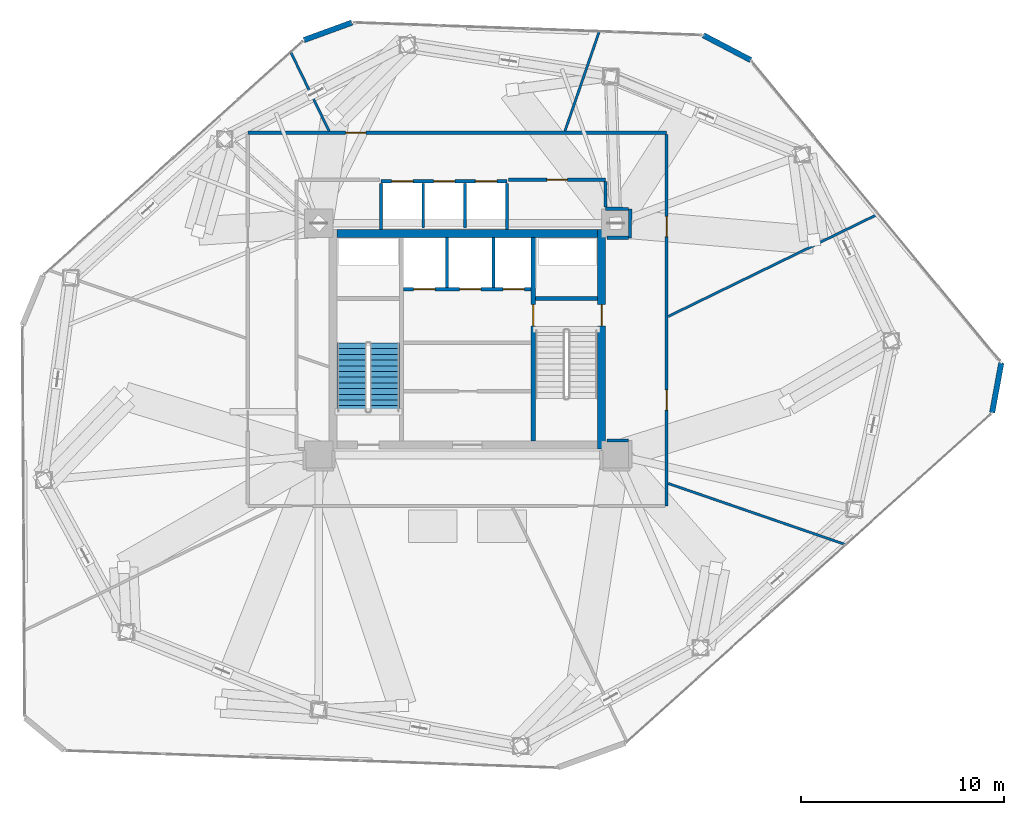
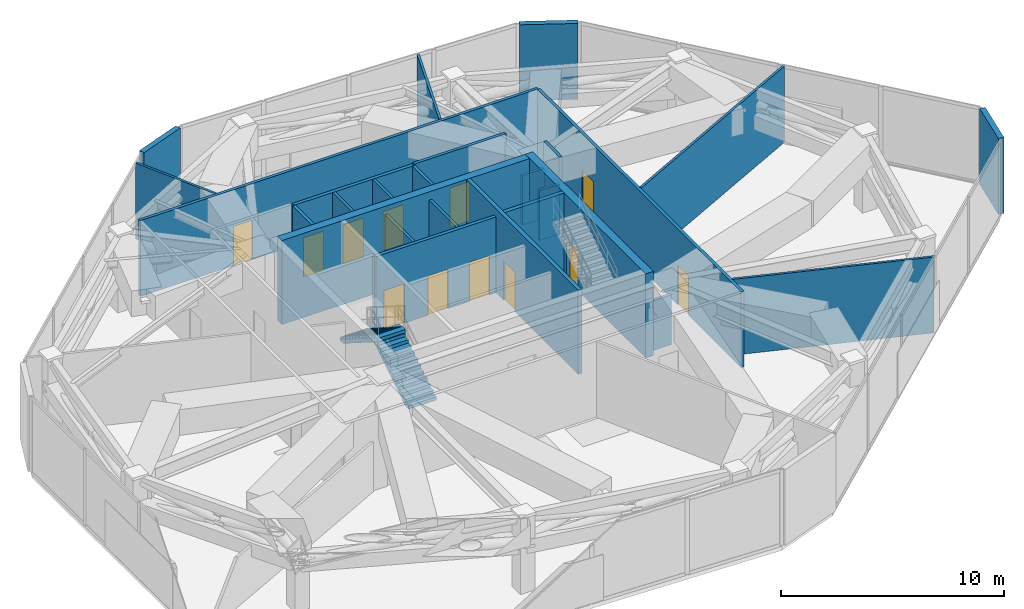
# One storey, part 22 of 25: 27 walls, 12 doors, 2 stair flights, 12 openings, 1 element without a shape of its own.
"""IFC4 building model written with IfcOpenShell, lengths in metres."""

from ifc_helpers import new_model, si_unit, direction, frame, frame_2d, origin, place, context, subcontext, project, spatial, polyline, rectangle, outline, extrude, source, transform, mapped, material, layer, layer_set, type_object, type_shapes, element, fill, aggregate, save


model = new_model("IFC4")

# Units and contexts
model_context = context("Model", 3, precision=1e-05, world=origin(), true_north=direction((0.0, 1.0)))
body_context = subcontext(model_context, "Body", "Model", "MODEL_VIEW")
ifc_project = project(units=[si_unit("LENGTHUNIT", "METRE"), si_unit("AREAUNIT", "SQUARE_METRE"), si_unit("VOLUMEUNIT", "CUBIC_METRE"), si_unit("PLANEANGLEUNIT", "RADIAN"), si_unit("MASSUNIT", "GRAM", prefix="KILO")], contexts=[model_context])

# Site, building, storey
site_placement = place(None, origin())
site = spatial("IfcSite", under=ifc_project, at=site_placement, CompositionType="ELEMENT")
building_placement = place(site_placement, origin())
building = spatial("IfcBuilding", under=site, at=building_placement, Name="Talar Marvaseh", CompositionType="ELEMENT")
storey_placement = place(building_placement, frame((0.0, 0.0, 84.800048828125)))
storey = spatial("IfcBuildingStorey", under=building, at=storey_placement, Name="L21", CompositionType="ELEMENT", Elevation=84.800048828125)

# Walls
ifc_material_1 = material(Name="Precast concrete C45/55", Category="concrete")
ifc_layer_1 = layer(ifc_material_1, 0.27001953125)
ifc_layer_set_1 = layer_set([ifc_layer_1], Name="Precast concrete C45/55")
wall_type_1 = type_object("IfcWallType", Name="Chamfered Hexagonal Corner Pier Wall Z1 270", PredefinedType="SOLIDWALL", material=ifc_layer_set_1)
wall_1_placement = place(storey_placement, frame((17.96044921875, 45.91064453125, 0.0), z_axis=(0.0, 0.0, 1.0), x_axis=(0.939714067994, 0.341961211856, 0.0)))
element("IfcWall", 1, at=wall_1_placement, inside=storey, type_object=wall_type_1, Name="L21 Chamfered Corner Limestone Pier 3", PredefinedType="SOLIDWALL", context=body_context, shape_type="SweptSolid", body=[
    extrude(rectangle(XDim=2.515869140625, YDim=0.27001953125, at=frame_2d((1.2578125, 0.0))), origin(), (0.0, 0.0, 1.0), 4.14990234375),
])
wall_2_placement = place(storey_placement, frame((37.609375, 46.1455078125, 0.0), z_axis=(0.0, 0.0, 1.0), x_axis=(0.886009988584, -0.463666151589, 0.0)))
element("IfcWall", 2, at=wall_2_placement, inside=storey, type_object=wall_type_1, Name="L21 Chamfered Corner Limestone Pier 4", PredefinedType="SOLIDWALL", context=body_context, shape_type="SweptSolid", body=[
    extrude(rectangle(XDim=2.623291015625, YDim=0.27001953125, at=frame_2d((1.3115234375, 0.0))), origin(), (0.0, 0.0, 1.0), 4.14990234375),
])
wall_3_placement = place(storey_placement, frame((52.259521484375, 30.031494140625, 0.0), z_axis=(0.0, 0.0, 1.0), x_axis=(-0.180934792537, -0.983495094471, 0.0)))
element("IfcWall", 3, at=wall_3_placement, inside=storey, type_object=wall_type_1, Name="L21 Chamfered Corner Limestone Pier 5", PredefinedType="SOLIDWALL", context=body_context, shape_type="SweptSolid", body=[
    extrude(rectangle(XDim=2.484130859375, YDim=0.27001953125, at=frame_2d((1.2421875, 0.0))), origin(), (0.0, 0.0, 1.0), 4.14990234375),
])

# Wall, opening, door
ifc_material_2 = material(Name="Gypsum Board Partition Assembly")
ifc_layer_2 = layer(ifc_material_2, 0.155029296875)
ifc_layer_set_2 = layer_set([ifc_layer_2], Name="Gypsum Board Partition Assembly")
wall_type_2 = type_object("IfcWallType", Name="Corridor Fire-Rated Acoustic Partition 155", PredefinedType="PARTITIONING", material=ifc_layer_set_2)
wall_4_placement = place(storey_placement, frame((15.199951171875, 41.35009765625, 0.0), z_axis=(0.0, 0.0, 1.0), x_axis=(1.0, 0.0, 0.0)))
wall_4 = element("IfcWall", 4, at=wall_4_placement, inside=storey, type_object=wall_type_2, Name="L21 Interior Partition Wall", PredefinedType="PARTITIONING", context=body_context, shape_type="SweptSolid", body=[
    extrude(rectangle(XDim=20.60009765625, YDim=0.155029296875, at=frame_2d((10.300048828125, 0.0))), origin(), (0.0, 0.0, 1.0), 4.14990234375),
])
opening_1_placement = place(wall_4_placement, frame((4.80859375, 0.0, 0.0)))
opening_1 = element("IfcOpeningElement", 5, at=opening_1_placement, cuts=wall_4, Name="Opening DR-RM100", PredefinedType="OPENING", context=body_context, shape_type="SweptSolid", body=[
    extrude(rectangle(XDim=1.0, YDim=2.14990234375, at=frame_2d((0.5, 1.074951171875))), frame((0.0, 0.08740234375, 0.0), z_axis=(0.0, -1.0, 0.0), x_axis=(1.0, 0.0, 0.0)), (0.0, 0.0, 1.0), 0.175048828125),
])
ifc_material_3 = material(Name="Acoustic Engineered Oak Timber", Category="wood")
door_type_1 = type_object("IfcDoorType", Name="Corridor Fire-Rated Gallery Door 1000x2150", OperationType="NOTDEFINED", PredefinedType="DOOR", material=ifc_material_3)
shared_shape_1 = source(origin(), body_context, "Body", "SweptSolid", [
    extrude(rectangle(XDim=1.0, YDim=2.14990234375, at=frame_2d((0.5, 1.074951171875))), frame((0.0, 0.02490234375, 0.0), z_axis=(0.0, -1.0, 0.0), x_axis=(1.0, 0.0, 0.0)), (0.0, 0.0, 1.0), 0.050048828125),
])
type_shapes(door_type_1, [shared_shape_1])
door_1_placement = place(opening_1_placement, origin())
door_1 = element("IfcDoor", 6, at=door_1_placement, inside=storey, type_object=door_type_1, Name="L21 Area of Refuge East Door", OperationType="SINGLE_SWING_RIGHT", OverallHeight=2.14990234375, OverallWidth=1.0, PredefinedType="DOOR", context=body_context, shape_type="MappedRepresentation", body=[
    mapped(shared_shape_1, transform((0.0, 0.0, 0.0), x_axis=(1.0, 0.0, 0.0), y_axis=(0.0, 1.0, 0.0), z_axis=(0.0, 0.0, 1.0), scale=1.0)),
])
fill(opening_1, door_1)

# Wall, openings, doors
wall_5_placement = place(storey_placement, frame((35.800048828125, 41.2666015625, 0.0), z_axis=(0.0, 0.0, 1.0), x_axis=(0.0, -1.0, 0.0)))
wall_5 = element("IfcWall", 7, at=wall_5_placement, inside=storey, type_object=wall_type_2, Name="L21 Interior Partition Wall", PredefinedType="PARTITIONING", context=body_context, shape_type="SweptSolid", body=[
    extrude(rectangle(XDim=18.2666015625, YDim=0.155029296875, at=frame_2d((9.13330078125, 0.0))), origin(), (0.0, 0.0, 1.0), 4.14990234375),
])
opening_2_placement = place(wall_5_placement, frame((12.56005859375, 0.0, 0.0)))
opening_2 = element("IfcOpeningElement", 8, at=opening_2_placement, cuts=wall_5, Name="Opening DR-RM100", PredefinedType="OPENING", context=body_context, shape_type="SweptSolid", body=[
    extrude(rectangle(XDim=1.0, YDim=2.14990234375, at=frame_2d((0.5, 1.074951171875))), frame((0.0, 0.08740234375, 0.0), z_axis=(0.0, -1.0, 0.0), x_axis=(1.0, 0.0, 0.0)), (0.0, 0.0, 1.0), 0.175048828125),
])
opening_3_placement = place(wall_5_placement, frame((4.021484375, 0.0, 0.0)))
opening_3 = element("IfcOpeningElement", 9, at=opening_3_placement, cuts=wall_5, Name="Opening DR-RM100", PredefinedType="OPENING", context=body_context, shape_type="SweptSolid", body=[
    extrude(rectangle(XDim=1.0, YDim=2.14990234375, at=frame_2d((0.5, 1.074951171875))), frame((0.0, 0.08740234375, 0.0), z_axis=(0.0, -1.0, 0.0), x_axis=(1.0, 0.0, 0.0)), (0.0, 0.0, 1.0), 0.175048828125),
])
door_2_placement = place(opening_2_placement, origin())
door_2 = element("IfcDoor", 10, at=door_2_placement, inside=storey, type_object=door_type_1, Name="L21 Chiller and Cooling Plant Room Door", OperationType="SINGLE_SWING_LEFT", OverallHeight=2.14990234375, OverallWidth=1.0, PredefinedType="DOOR", context=body_context, shape_type="MappedRepresentation", body=[
    mapped(shared_shape_1, transform((0.0, 0.0, 0.0), x_axis=(1.0, 0.0, 0.0), y_axis=(0.0, 1.0, 0.0), z_axis=(0.0, 0.0, 1.0), scale=1.0)),
])
fill(opening_2, door_2)
door_3_placement = place(opening_3_placement, origin())
door_3 = element("IfcDoor", 11, at=door_3_placement, inside=storey, type_object=door_type_1, Name="L21 Outrigger Mechanical and AHU Plant Room Door", OperationType="SINGLE_SWING_RIGHT", OverallHeight=2.14990234375, OverallWidth=1.0, PredefinedType="DOOR", context=body_context, shape_type="MappedRepresentation", body=[
    mapped(shared_shape_1, transform((0.0, 0.0, 0.0), x_axis=(1.0, 0.0, 0.0), y_axis=(0.0, 1.0, 0.0), z_axis=(0.0, 0.0, 1.0), scale=1.0)),
])
fill(opening_3, door_3)

# Wall, opening, door
wall_6_placement = place(storey_placement, frame((32.800048828125, 39.0400390625, 0.0), z_axis=(0.0, 0.0, 1.0), x_axis=(-1.0, 0.0, 0.0)))
wall_6 = element("IfcWall", 12, at=wall_6_placement, inside=storey, type_object=wall_type_2, Name="L21 Interior Partition Wall", PredefinedType="PARTITIONING", context=body_context, shape_type="SweptSolid", body=[
    extrude(rectangle(XDim=4.77001953125, YDim=0.155029296875, at=frame_2d((2.385009765625, 0.0))), origin(), (0.0, 0.0, 1.0), 4.14990234375),
])
opening_4_placement = place(wall_6_placement, frame((1.885009765625, 0.0, 0.0)))
opening_4 = element("IfcOpeningElement", 13, at=opening_4_placement, cuts=wall_6, Name="Opening DR-RM100", PredefinedType="OPENING", context=body_context, shape_type="SweptSolid", body=[
    extrude(rectangle(XDim=1.0, YDim=2.14990234375, at=frame_2d((0.5, 1.074951171875))), frame((0.0, 0.08740234375, 0.0), z_axis=(0.0, -1.0, 0.0), x_axis=(1.0, 0.0, 0.0)), (0.0, 0.0, 1.0), 0.175048828125),
])
door_4_placement = place(opening_4_placement, origin())
door_4 = element("IfcDoor", 14, at=door_4_placement, inside=storey, type_object=door_type_1, Name="L21 Fire and Domestic Water Pump Plant Room Door", OperationType="SINGLE_SWING_LEFT", OverallHeight=2.14990234375, OverallWidth=1.0, PredefinedType="DOOR", context=body_context, shape_type="MappedRepresentation", body=[
    mapped(shared_shape_1, transform((0.0, 0.0, 0.0), x_axis=(1.0, 0.0, 0.0), y_axis=(0.0, 1.0, 0.0), z_axis=(0.0, 0.0, 1.0), scale=1.0)),
])
fill(opening_4, door_4)

# Walls
wall_7_placement = place(storey_placement, frame((34.0, 36.18505859375, 0.0), z_axis=(0.0, 0.0, 1.0), x_axis=(0.008225942757, 0.999966166361, 0.0)))
element("IfcWall", 15, at=wall_7_placement, inside=storey, type_object=wall_type_2, Name="L21 Interior Partition Wall", PredefinedType="PARTITIONING", context=body_context, shape_type="SweptSolid", body=[
    extrude(rectangle(XDim=1.424560546875, YDim=0.155029296875, at=frame_2d((0.71240234375, 0.0))), origin(), (0.0, 0.0, 1.0), 4.14990234375),
])
wall_8_placement = place(storey_placement, frame((33.927978515625, 37.60986328125, 0.0), z_axis=(0.0, 0.0, 1.0), x_axis=(-0.999989669582, 0.004545407589, 0.0)))
element("IfcWall", 16, at=wall_8_placement, inside=storey, type_object=wall_type_2, Name="L21 Interior Partition Wall", PredefinedType="PARTITIONING", context=body_context, shape_type="SweptSolid", body=[
    extrude(rectangle(XDim=1.1279296875, YDim=0.155029296875, at=frame_2d((0.56396484375, 0.0))), origin(), (0.0, 0.0, 1.0), 2.724853515625),
])
wall_9_placement = place(storey_placement, frame((32.800048828125, 37.698486328125, 0.0), z_axis=(0.0, 0.0, 1.0), x_axis=(0.0, 1.0, 0.0)))
element("IfcWall", 17, at=wall_9_placement, inside=storey, type_object=wall_type_2, Name="L21 Interior Partition Wall", PredefinedType="PARTITIONING", context=body_context, shape_type="SweptSolid", body=[
    extrude(rectangle(XDim=1.258056640625, YDim=0.155029296875, at=frame_2d((0.62890625, 0.0))), origin(), (0.0, 0.0, 1.0), 3.7119140625),
])
wall_10_placement = place(storey_placement, frame((33.927978515625, 26.2099609375, 0.0), z_axis=(0.0, 0.0, 1.0), x_axis=(-0.999988255797, 0.004846469737, 0.0)))
element("IfcWall", 18, at=wall_10_placement, inside=storey, type_object=wall_type_2, Name="L21 Interior Partition Wall", PredefinedType="PARTITIONING", context=body_context, shape_type="SweptSolid", body=[
    extrude(rectangle(XDim=1.057861328125, YDim=0.155029296875, at=frame_2d((0.52880859375, 0.0))), origin(), (0.0, 0.0, 1.0), 2.724853515625),
])
wall_11_placement = place(storey_placement, frame((32.8701171875, 36.18505859375, 0.0), z_axis=(0.0, 0.0, 1.0), x_axis=(1.0, 0.0, 0.0)))
element("IfcWall", 19, at=wall_11_placement, inside=storey, type_object=wall_type_2, Name="L21 Interior Partition Wall", PredefinedType="PARTITIONING", context=body_context, shape_type="SweptSolid", body=[
    extrude(rectangle(XDim=1.04638671875, YDim=0.155029296875, at=frame_2d((0.523193359375, 0.0))), origin(), (0.0, 0.0, 1.0), 2.724853515625),
])
ifc_layer_3 = layer(ifc_material_2, 0.1201171875)
ifc_layer_set_3 = layer_set([ifc_layer_3], Name="Gypsum Board Partition Assembly")
wall_type_3 = type_object("IfcWallType", Name="Demountable Studio Room Partition 120", PredefinedType="PARTITIONING", material=ifc_layer_set_3)
wall_12_placement = place(storey_placement, frame((35.883544921875, 24.101318359375, 0.0), z_axis=(0.0, 0.0, 1.0), x_axis=(0.945437205547, -0.325804374383, 0.0)))
element("IfcWall", 20, at=wall_12_placement, inside=storey, type_object=wall_type_3, Name="L21 Interior Partition Wall", PredefinedType="PARTITIONING", context=body_context, shape_type="SweptSolid", body=[
    extrude(rectangle(XDim=9.2080078125, YDim=0.1201171875, at=frame_2d((4.60400390625, 0.0))), origin(), (0.0, 0.0, 1.0), 4.14990234375),
])
wall_13_placement = place(storey_placement, frame((35.883544921875, 32.32080078125, 0.0), z_axis=(0.0, 0.0, 1.0), x_axis=(0.898777856743, 0.438404338744, 0.0)))
element("IfcWall", 21, at=wall_13_placement, inside=storey, type_object=wall_type_3, Name="L21 Interior Partition Wall", PredefinedType="PARTITIONING", context=body_context, shape_type="SweptSolid", body=[
    extrude(rectangle(XDim=11.468505859375, YDim=0.1201171875, at=frame_2d((5.734375, 0.0))), origin(), (0.0, 0.0, 1.0), 4.14990234375),
])
wall_14_placement = place(storey_placement, frame((30.798828125, 41.43359375, 0.0), z_axis=(0.0, 0.0, 1.0), x_axis=(0.32567865408, 0.945480520305, 0.0)))
element("IfcWall", 22, at=wall_14_placement, inside=storey, type_object=wall_type_3, Name="L21 Interior Partition Wall", PredefinedType="PARTITIONING", context=body_context, shape_type="SweptSolid", body=[
    extrude(rectangle(XDim=5.160400390625, YDim=0.1201171875, at=frame_2d((2.580078125, 0.0))), origin(), (0.0, 0.0, 1.0), 4.14990234375),
])
wall_15_placement = place(storey_placement, frame((19.199462890625, 41.43359375, 0.0), z_axis=(0.0, 0.0, 1.0), x_axis=(-0.436746607689, 0.899584571162, 0.0)))
element("IfcWall", 23, at=wall_15_placement, inside=storey, type_object=wall_type_3, Name="L21 Interior Partition Wall", PredefinedType="PARTITIONING", context=body_context, shape_type="SweptSolid", body=[
    extrude(rectangle(XDim=4.30419921875, YDim=0.1201171875, at=frame_2d((2.152099609375, 0.0))), origin(), (0.0, 0.0, 1.0), 4.14990234375),
])
ifc_layer_4 = layer(ifc_material_1, 0.14501953125)
ifc_layer_set_4 = layer_set([ifc_layer_4], Name="Precast concrete C45/55")
wall_type_4 = type_object("IfcWallType", Name="Fire-Rated Lift Divider Wall 145", PredefinedType="SOLIDWALL", material=ifc_layer_set_4)
for number, where, z_axis, x_axis, name in (
    (24, (25.0, 33.743408203125, 0.0), (0.0, 0.0, 1.0), (0.0, 1.0, 0.0), "L21 FFL-1/FFL-2 Divider"),
    (25, (27.280029296875, 33.743408203125, 0.0), (0.0, 0.0, 1.0), (0.0, 1.0, 0.0), "L21 FFL-2/SVL-1 Divider"),
):
    element("IfcWall", number, at=place(storey_placement, frame(where, z_axis=z_axis, x_axis=x_axis)), inside=storey, type_object=wall_type_4, Name=name, PredefinedType="SOLIDWALL", context=body_context, shape_type="SweptSolid", body=[
        extrude(rectangle(XDim=2.45654296875, YDim=0.14501953125, at=frame_2d((1.228271484375, 0.0))), origin(), (0.0, 0.0, 1.0), 4.14990234375),
    ])
for number, where, z_axis, x_axis, name in (
    (26, (21.760009765625, 36.60009765625, 0.0), (0.0, 0.0, 1.0), (0.0, 1.0, 0.0), "L21 Low-Rise Bank West Wall"),
    (27, (27.9599609375, 36.60009765625, 0.0), (0.0, 0.0, 1.0), (0.0, 1.0, 0.0), "L21 Low-Rise Bank East Wall"),
):
    element("IfcWall", number, at=place(storey_placement, frame(where, z_axis=z_axis, x_axis=x_axis)), inside=storey, type_object=wall_type_4, Name=name, PredefinedType="SOLIDWALL", context=body_context, shape_type="SweptSolid", body=[
        extrude(rectangle(XDim=2.266357421875, YDim=0.14501953125, at=frame_2d((1.13330078125, 0.0))), origin(), (0.0, 0.0, 1.0), 4.14990234375),
    ])
for number, where, z_axis, x_axis, name in (
    (28, (23.830078125, 36.659912109375, 0.0), (0.0, 0.0, 1.0), (0.0, 1.0, 0.0), "L21 PL-L1/PL-L2 Divider"),
    (29, (25.889892578125, 36.659912109375, 0.0), (0.0, 0.0, 1.0), (0.0, 1.0, 0.0), "L21 PL-L2/PL-L3 Divider"),
):
    element("IfcWall", number, at=place(storey_placement, frame(where, z_axis=z_axis, x_axis=x_axis)), inside=storey, type_object=wall_type_4, Name=name, PredefinedType="SOLIDWALL", context=body_context, shape_type="SweptSolid", body=[
        extrude(rectangle(XDim=2.20654296875, YDim=0.14501953125, at=frame_2d((1.103271484375, 0.0))), origin(), (0.0, 0.0, 1.0), 4.14990234375),
    ])

# Wall, openings, doors
ifc_layer_5 = layer(ifc_material_1, 0.175048828125)
ifc_layer_set_5 = layer_set([ifc_layer_5], Name="Precast concrete C45/55")
wall_type_5 = type_object("IfcWallType", Name="Fire-Rated Lift Hoistway Enclosure Wall 175", PredefinedType="SOLIDWALL", material=ifc_layer_set_5)
wall_16_placement = place(storey_placement, frame((22.860107421875, 33.64990234375, 0.0), z_axis=(0.0, 0.0, 1.0), x_axis=(1.0, 0.0, 0.0)))
wall_16 = element("IfcWall", 30, at=wall_16_placement, inside=storey, type_object=wall_type_5, Name="L21 Firefighting and Service Lift Front Wall", PredefinedType="SOLIDWALL", context=body_context, shape_type="SweptSolid", body=[
    extrude(rectangle(XDim=6.27978515625, YDim=0.175048828125, at=frame_2d((3.139892578125, 0.0))), origin(), (0.0, 0.0, 1.0), 4.14990234375),
])
opening_5_placement = place(wall_16_placement, frame((0.5, 0.0, 0.0)))
opening_5 = element("IfcOpeningElement", 31, at=opening_5_placement, cuts=wall_16, Name="Opening LD-FF1", PredefinedType="OPENING", context=body_context, shape_type="SweptSolid", body=[
    extrude(rectangle(XDim=1.050048828125, YDim=2.14990234375, at=frame_2d((0.52490234375, 1.074951171875))), frame((0.0, 0.09765625, 0.0), z_axis=(0.0, -1.0, 0.0), x_axis=(1.0, 0.0, 0.0)), (0.0, 0.0, 1.0), 0.195068359375),
])
opening_6_placement = place(wall_16_placement, frame((2.760009765625, 0.0, 0.0)))
opening_6 = element("IfcOpeningElement", 32, at=opening_6_placement, cuts=wall_16, Name="Opening LD-FF2", PredefinedType="OPENING", context=body_context, shape_type="SweptSolid", body=[
    extrude(rectangle(XDim=1.050048828125, YDim=2.14990234375, at=frame_2d((0.52490234375, 1.074951171875))), frame((0.0, 0.09765625, 0.0), z_axis=(0.0, -1.0, 0.0), x_axis=(1.0, 0.0, 0.0)), (0.0, 0.0, 1.0), 0.195068359375),
])
opening_7_placement = place(wall_16_placement, frame((4.89990234375, 0.0, 0.0)))
opening_7 = element("IfcOpeningElement", 33, at=opening_7_placement, cuts=wall_16, Name="Opening LD-SV1", PredefinedType="OPENING", context=body_context, shape_type="SweptSolid", body=[
    extrude(rectangle(XDim=1.050048828125, YDim=2.14990234375, at=frame_2d((0.52490234375, 1.074951171875))), frame((0.0, 0.09765625, 0.0), z_axis=(0.0, -1.0, 0.0), x_axis=(1.0, 0.0, 0.0)), (0.0, 0.0, 1.0), 0.195068359375),
])
ifc_material_4 = material(Name="Stainless Steel Grade 316", Category="steel")
door_type_2 = type_object("IfcDoorType", Name="Automatic Sliding Lift Landing Door 1050x2150", OperationType="NOTDEFINED", PredefinedType="DOOR", material=ifc_material_4)
shared_shape_2 = source(origin(), body_context, "Body", "SweptSolid", [
    extrude(rectangle(XDim=1.050048828125, YDim=2.14990234375, at=frame_2d((0.52490234375, 1.074951171875))), frame((0.0, 0.02490234375, 0.0), z_axis=(0.0, -1.0, 0.0), x_axis=(1.0, 0.0, 0.0)), (0.0, 0.0, 1.0), 0.050048828125),
])
type_shapes(door_type_2, [shared_shape_2])
door_5_placement = place(opening_5_placement, origin())
door_5 = element("IfcDoor", 34, at=door_5_placement, inside=storey, type_object=door_type_2, Name="L21 Lift FFL-1 Sliding Landing Door", OperationType="SLIDING_TO_LEFT", OverallHeight=2.14990234375, OverallWidth=1.050048828125, PredefinedType="DOOR", context=body_context, shape_type="MappedRepresentation", body=[
    mapped(shared_shape_2, transform((0.0, 0.0, 0.0), x_axis=(1.0, 0.0, 0.0), y_axis=(0.0, 1.0, 0.0), z_axis=(0.0, 0.0, 1.0), scale=1.0)),
])
fill(opening_5, door_5)
door_6_placement = place(opening_6_placement, origin())
door_6 = element("IfcDoor", 35, at=door_6_placement, inside=storey, type_object=door_type_2, Name="L21 Lift FFL-2 Sliding Landing Door", OperationType="SLIDING_TO_LEFT", OverallHeight=2.14990234375, OverallWidth=1.050048828125, PredefinedType="DOOR", context=body_context, shape_type="MappedRepresentation", body=[
    mapped(shared_shape_2, transform((0.0, 0.0, 0.0), x_axis=(1.0, 0.0, 0.0), y_axis=(0.0, 1.0, 0.0), z_axis=(0.0, 0.0, 1.0), scale=1.0)),
])
fill(opening_6, door_6)
door_7_placement = place(opening_7_placement, origin())
door_7 = element("IfcDoor", 36, at=door_7_placement, inside=storey, type_object=door_type_2, Name="L21 Lift SVL-1 Sliding Landing Door", OperationType="SLIDING_TO_LEFT", OverallHeight=2.14990234375, OverallWidth=1.050048828125, PredefinedType="DOOR", context=body_context, shape_type="MappedRepresentation", body=[
    mapped(shared_shape_2, transform((0.0, 0.0, 0.0), x_axis=(1.0, 0.0, 0.0), y_axis=(0.0, 1.0, 0.0), z_axis=(0.0, 0.0, 1.0), scale=1.0)),
])
fill(opening_7, door_7)

wall_17_placement = place(storey_placement, frame((21.760009765625, 38.9599609375, 0.0), z_axis=(0.0, 0.0, 1.0), x_axis=(1.0, 0.0, 0.0)))
wall_17 = element("IfcWall", 37, at=wall_17_placement, inside=storey, type_object=wall_type_5, Name="L21 Low-Rise Lift Bank Front Wall", PredefinedType="SOLIDWALL", context=body_context, shape_type="SweptSolid", body=[
    extrude(rectangle(XDim=6.199951171875, YDim=0.175048828125, at=frame_2d((3.10009765625, 0.0))), origin(), (0.0, 0.0, 1.0), 4.14990234375),
])
opening_8_placement = place(wall_17_placement, frame((0.52001953125, 0.0, 0.0)))
opening_8 = element("IfcOpeningElement", 38, at=opening_8_placement, cuts=wall_17, Name="Opening LD-PLL1", PredefinedType="OPENING", context=body_context, shape_type="SweptSolid", body=[
    extrude(rectangle(XDim=1.050048828125, YDim=2.14990234375, at=frame_2d((0.52490234375, 1.074951171875))), frame((0.0, 0.09765625, 0.0), z_axis=(0.0, -1.0, 0.0), x_axis=(1.0, 0.0, 0.0)), (0.0, 0.0, 1.0), 0.195068359375),
])
opening_9_placement = place(wall_17_placement, frame((2.580078125, 0.0, 0.0)))
opening_9 = element("IfcOpeningElement", 39, at=opening_9_placement, cuts=wall_17, Name="Opening LD-PLL2", PredefinedType="OPENING", context=body_context, shape_type="SweptSolid", body=[
    extrude(rectangle(XDim=1.050048828125, YDim=2.14990234375, at=frame_2d((0.52490234375, 1.074951171875))), frame((0.0, 0.09765625, 0.0), z_axis=(0.0, -1.0, 0.0), x_axis=(1.0, 0.0, 0.0)), (0.0, 0.0, 1.0), 0.195068359375),
])
opening_10_placement = place(wall_17_placement, frame((4.639892578125, 0.0, 0.0)))
opening_10 = element("IfcOpeningElement", 40, at=opening_10_placement, cuts=wall_17, Name="Opening LD-PLL3", PredefinedType="OPENING", context=body_context, shape_type="SweptSolid", body=[
    extrude(rectangle(XDim=1.050048828125, YDim=2.14990234375, at=frame_2d((0.52490234375, 1.074951171875))), frame((0.0, 0.09765625, 0.0), z_axis=(0.0, -1.0, 0.0), x_axis=(1.0, 0.0, 0.0)), (0.0, 0.0, 1.0), 0.195068359375),
])
door_8_placement = place(opening_8_placement, origin())
door_8 = element("IfcDoor", 41, at=door_8_placement, inside=storey, type_object=door_type_2, Name="L21 Lift PL-L1 Sliding Landing Door", OperationType="SLIDING_TO_LEFT", OverallHeight=2.14990234375, OverallWidth=1.050048828125, PredefinedType="DOOR", context=body_context, shape_type="MappedRepresentation", body=[
    mapped(shared_shape_2, transform((0.0, 0.0, 0.0), x_axis=(1.0, 0.0, 0.0), y_axis=(0.0, 1.0, 0.0), z_axis=(0.0, 0.0, 1.0), scale=1.0)),
])
fill(opening_8, door_8)
door_9_placement = place(opening_9_placement, origin())
door_9 = element("IfcDoor", 42, at=door_9_placement, inside=storey, type_object=door_type_2, Name="L21 Lift PL-L2 Sliding Landing Door", OperationType="SLIDING_TO_LEFT", OverallHeight=2.14990234375, OverallWidth=1.050048828125, PredefinedType="DOOR", context=body_context, shape_type="MappedRepresentation", body=[
    mapped(shared_shape_2, transform((0.0, 0.0, 0.0), x_axis=(1.0, 0.0, 0.0), y_axis=(0.0, 1.0, 0.0), z_axis=(0.0, 0.0, 1.0), scale=1.0)),
])
fill(opening_9, door_9)
door_10_placement = place(opening_10_placement, origin())
door_10 = element("IfcDoor", 43, at=door_10_placement, inside=storey, type_object=door_type_2, Name="L21 Lift PL-L3 Sliding Landing Door", OperationType="SLIDING_TO_LEFT", OverallHeight=2.14990234375, OverallWidth=1.050048828125, PredefinedType="DOOR", context=body_context, shape_type="MappedRepresentation", body=[
    mapped(shared_shape_2, transform((0.0, 0.0, 0.0), x_axis=(1.0, 0.0, 0.0), y_axis=(0.0, 1.0, 0.0), z_axis=(0.0, 0.0, 1.0), scale=1.0)),
])
fill(opening_10, door_10)

# Wall, opening, door
ifc_material_5 = material(Name="Concrete C70/85", Category="concrete")
ifc_layer_6 = layer(ifc_material_5, 0.39990234375)
ifc_layer_set_6 = layer_set([ifc_layer_6], Name="Concrete C70/85")
wall_type_6 = type_object("IfcWallType", Name="Lower Core Reinforced Concrete Shear Wall 400", PredefinedType="SHEAR", material=ifc_layer_set_6)
wall_18_placement = place(storey_placement, frame((32.60009765625, 36.60009765625, 0.0), z_axis=(0.0, 0.0, 1.0), x_axis=(0.0, -1.0, 0.0)))
wall_18 = element("IfcWall", 44, at=wall_18_placement, inside=storey, type_object=wall_type_6, Name="L21 East Core Shear Wall", PredefinedType="SHEAR", context=body_context, shape_type="SweptSolid", body=[
    extrude(rectangle(XDim=10.800048828125, YDim=0.39990234375, at=frame_2d((5.39990234375, 0.0))), origin(), (0.0, 0.0, 1.0), 4.599853515625),
])
opening_11_placement = place(wall_18_placement, frame((3.699951171875, 0.0, 0.0)))
opening_11 = element("IfcOpeningElement", 45, at=opening_11_placement, cuts=wall_18, Name="Opening DR-ST105", PredefinedType="OPENING", context=body_context, shape_type="SweptSolid", body=[
    extrude(rectangle(XDim=1.050048828125, YDim=2.14990234375, at=frame_2d((0.52490234375, 1.074951171875))), frame((0.0, 0.2099609375, 0.0), z_axis=(0.0, -1.0, 0.0), x_axis=(1.0, 0.0, 0.0)), (0.0, 0.0, 1.0), 0.419921875),
])
ifc_material_6 = material(Name="Fire-Rated Steel Door Leaf", Category="steel")
door_type_3 = type_object("IfcDoorType", Name="Protected Exit Stair Fire Door 1050x2150", OperationType="NOTDEFINED", PredefinedType="DOOR", material=ifc_material_6)
shared_shape_3 = source(origin(), body_context, "Body", "SweptSolid", [
    extrude(rectangle(XDim=1.050048828125, YDim=2.14990234375, at=frame_2d((0.52490234375, 1.074951171875))), frame((0.0, 0.02490234375, 0.0), z_axis=(0.0, -1.0, 0.0), x_axis=(1.0, 0.0, 0.0)), (0.0, 0.0, 1.0), 0.050048828125),
])
type_shapes(door_type_3, [shared_shape_3])
door_11_placement = place(opening_11_placement, origin())
door_11 = element("IfcDoor", 46, at=door_11_placement, inside=storey, type_object=door_type_3, Name="L21 Stair ST-2 Corridor Exit Door", OperationType="SINGLE_SWING_LEFT", OverallHeight=2.14990234375, OverallWidth=1.050048828125, PredefinedType="DOOR", context=body_context, shape_type="MappedRepresentation", body=[
    mapped(shared_shape_3, transform((0.0, 0.0, 0.0), x_axis=(1.0, 0.0, 0.0), y_axis=(0.0, 1.0, 0.0), z_axis=(0.0, 0.0, 1.0), scale=1.0)),
])
fill(opening_11, door_11)

# Wall
wall_19_placement = place(storey_placement, frame((19.60009765625, 36.39990234375, 0.0), z_axis=(0.0, 0.0, 1.0), x_axis=(1.0, 0.0, 0.0)))
element("IfcWall", 47, at=wall_19_placement, inside=storey, type_object=wall_type_6, Name="L21 North Core Shear Wall", PredefinedType="SHEAR", context=body_context, shape_type="SweptSolid", body=[
    extrude(rectangle(XDim=12.7998046875, YDim=0.39990234375, at=frame_2d((6.39990234375, 0.0))), origin(), (0.0, 0.0, 1.0), 4.599853515625),
])

# Wall, opening, door
ifc_material_7 = material(Name="Concrete C50/60", Category="concrete")
ifc_layer_7 = layer(ifc_material_7, 0.199951171875)
ifc_layer_set_7 = layer_set([ifc_layer_7], Name="Concrete C50/60")
wall_type_7 = type_object("IfcWallType", Name="Stair Shaft Structural Concrete Shear Wall 200", PredefinedType="SHEAR", material=ifc_layer_set_7)
wall_20_placement = place(storey_placement, frame((29.239990234375, 26.199951171875, 0.0), z_axis=(0.0, 0.0, 1.0), x_axis=(0.0, 1.0, 0.0)))
wall_20 = element("IfcWall", 48, at=wall_20_placement, inside=storey, type_object=wall_type_7, Name="L21 Core East Stair Shear Wall", PredefinedType="SHEAR", context=body_context, shape_type="SweptSolid", body=[
    extrude(rectangle(XDim=10.0, YDim=0.199951171875, at=frame_2d((5.0, 0.0))), origin(), (0.0, 0.0, 1.0), 4.599853515625),
])
opening_12_placement = place(wall_20_placement, frame((5.64990234375, 0.0, 0.0)))
opening_12 = element("IfcOpeningElement", 49, at=opening_12_placement, cuts=wall_20, Name="Opening DR-ST105", PredefinedType="OPENING", context=body_context, shape_type="SweptSolid", body=[
    extrude(rectangle(XDim=1.050048828125, YDim=2.14990234375, at=frame_2d((0.52490234375, 1.074951171875))), frame((0.0, 0.10986328125, 0.0), z_axis=(0.0, -1.0, 0.0), x_axis=(1.0, 0.0, 0.0)), (0.0, 0.0, 1.0), 0.219970703125),
])
door_12_placement = place(opening_12_placement, origin())
door_12 = element("IfcDoor", 50, at=door_12_placement, inside=storey, type_object=door_type_3, Name="L21 Firefighting Lobby to Stair ST-2 Door", OperationType="SINGLE_SWING_LEFT", OverallHeight=2.14990234375, OverallWidth=1.050048828125, PredefinedType="DOOR", context=body_context, shape_type="MappedRepresentation", body=[
    mapped(shared_shape_3, transform((0.0, 0.0, 0.0), x_axis=(1.0, 0.0, 0.0), y_axis=(0.0, 1.0, 0.0), z_axis=(0.0, 0.0, 1.0), scale=1.0)),
])
fill(opening_12, door_12)

# Wall
wall_21_placement = place(storey_placement, frame((29.340087890625, 33.199951171875, 0.0), z_axis=(0.0, 0.0, 1.0), x_axis=(1.0, 0.0, 0.0)))
element("IfcWall", 51, at=wall_21_placement, inside=storey, type_object=wall_type_7, Name="L21 Stair ST-2 North Shear Wall", PredefinedType="SHEAR", context=body_context, shape_type="SweptSolid", body=[
    extrude(rectangle(XDim=3.059814453125, YDim=0.199951171875, at=frame_2d((1.52978515625, 0.0))), origin(), (0.0, 0.0, 1.0), 4.599853515625),
])

# Stair, stair flights
ifc_material_8 = material(Name="Concrete C40/50", Category="concrete")
stair_type = type_object("IfcStairType", Name="Reinforced Concrete Half-Turn Exit Stair Type B", PredefinedType="HALF_TURN_STAIR", material=ifc_material_8)
stair_placement = place(storey_placement, origin())
stair = element("IfcStair", 52, at=stair_placement, inside=storey, type_object=stair_type, Name="L21 Tower West Core Exit Stair", PredefinedType="HALF_TURN_STAIR")
ifc_layer_8 = layer(ifc_material_8, 0.159912109375)
ifc_layer_set_8 = layer_set([ifc_layer_8], Name="Concrete C40/50")
stair_flight_type = type_object("IfcStairFlightType", Name="Reinforced Concrete Straight Stair Flight 160", PredefinedType="STRAIGHT", material=ifc_layer_set_8)
stair_flight_1_placement = place(storey_placement, frame((21.93505859375, 27.64990234375, 0.0), z_axis=(0.0, 0.0, 1.0), x_axis=(0.0, 1.0, 0.0)))
stair_flight_1 = element("IfcStairFlight", 53, at=stair_flight_1_placement, type_object=stair_flight_type, Name="ST-1 flight 1", NumberOfRisers=13, NumberOfTreads=12, PredefinedType="STRAIGHT", RiserHeight=0.176923077, TreadLength=0.28, context=body_context, shape_type="SweptSolid", body=[
    extrude(outline(polyline([(0.0, 0.0), (0.0, 0.177001953125), (0.280029296875, 0.177001953125), (0.280029296875, 0.353759765625), (0.56005859375, 0.353759765625), (0.56005859375, 0.53076171875), (0.840087890625, 0.53076171875), (0.840087890625, 0.707763671875), (1.1201171875, 0.707763671875), (1.1201171875, 0.884521484375), (1.39990234375, 0.884521484375), (1.39990234375, 1.0615234375), (1.679931640625, 1.0615234375), (1.679931640625, 1.238525390625), (1.9599609375, 1.238525390625), (1.9599609375, 1.415283203125), (2.239990234375, 1.415283203125), (2.239990234375, 1.59228515625), (2.52001953125, 1.59228515625), (2.52001953125, 1.769287109375), (2.800048828125, 1.769287109375), (2.800048828125, 1.946044921875), (3.080078125, 1.946044921875), (3.080078125, 2.123046875), (3.360107421875, 2.123046875), (3.360107421875, 2.300048828125), (3.360107421875, 1.933837890625), (0.29931640625, 0.0), (0.0, 0.0)])), frame((0.0, 0.72509765625, 0.0), z_axis=(0.0, -1.0, 0.0), x_axis=(1.0, 0.0, 0.0)), (0.0, 0.0, 1.0), 1.449951171875),
])
stair_flight_2_placement = place(storey_placement, frame((20.324951171875, 31.010009765625, 2.300048828125), z_axis=(0.0, 0.0, 1.0), x_axis=(0.0, -1.0, 0.0)))
stair_flight_2 = element("IfcStairFlight", 54, at=stair_flight_2_placement, type_object=stair_flight_type, Name="ST-1 flight 2", NumberOfRisers=13, NumberOfTreads=12, PredefinedType="STRAIGHT", RiserHeight=0.176923077, TreadLength=0.28, context=body_context, shape_type="SweptSolid", body=[
    extrude(outline(polyline([(0.0, 0.0), (0.0, 0.177001953125), (0.280029296875, 0.177001953125), (0.280029296875, 0.353759765625), (0.56005859375, 0.353759765625), (0.56005859375, 0.53076171875), (0.840087890625, 0.53076171875), (0.840087890625, 0.707763671875), (1.1201171875, 0.707763671875), (1.1201171875, 0.884521484375), (1.39990234375, 0.884521484375), (1.39990234375, 1.0615234375), (1.679931640625, 1.0615234375), (1.679931640625, 1.238525390625), (1.9599609375, 1.238525390625), (1.9599609375, 1.415283203125), (2.239990234375, 1.415283203125), (2.239990234375, 1.59228515625), (2.52001953125, 1.59228515625), (2.52001953125, 1.769287109375), (2.800048828125, 1.769287109375), (2.800048828125, 1.946044921875), (3.080078125, 1.946044921875), (3.080078125, 2.123046875), (3.360107421875, 2.123046875), (3.360107421875, 2.300048828125), (3.360107421875, 1.933837890625), (0.29931640625, 0.0), (0.0, 0.0)])), frame((0.0, 0.72509765625, 0.0), z_axis=(0.0, -1.0, 0.0), x_axis=(1.0, 0.0, 0.0)), (0.0, 0.0, 1.0), 1.449951171875),
])
aggregate(stair, [stair_flight_1, stair_flight_2])

save(model, "model.ifc")
